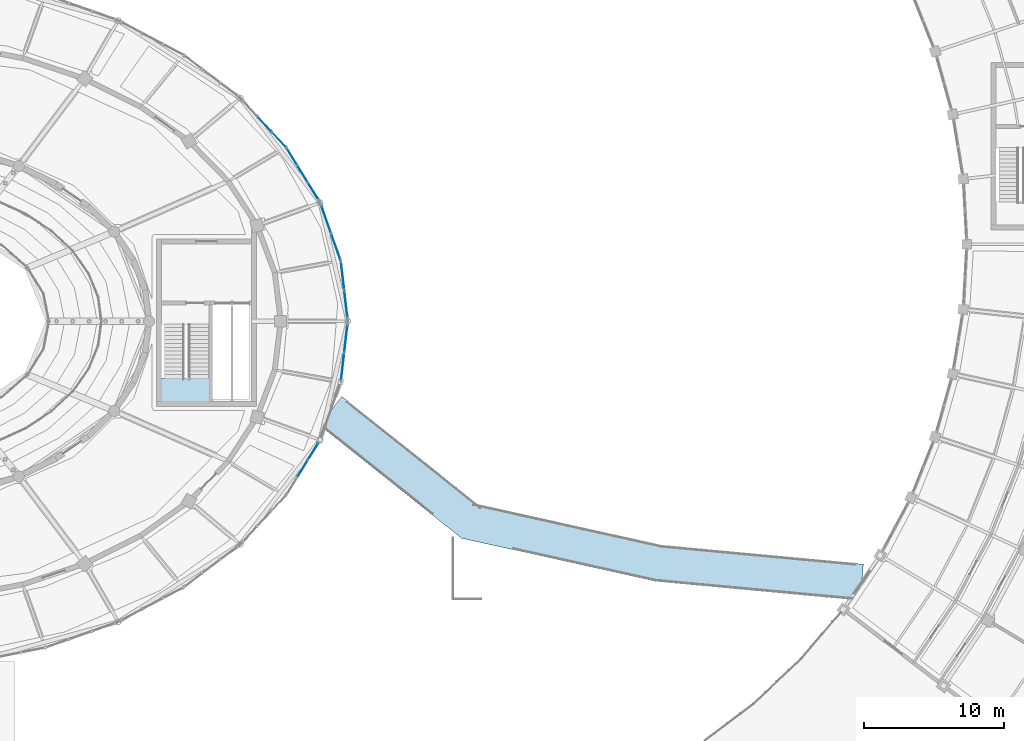
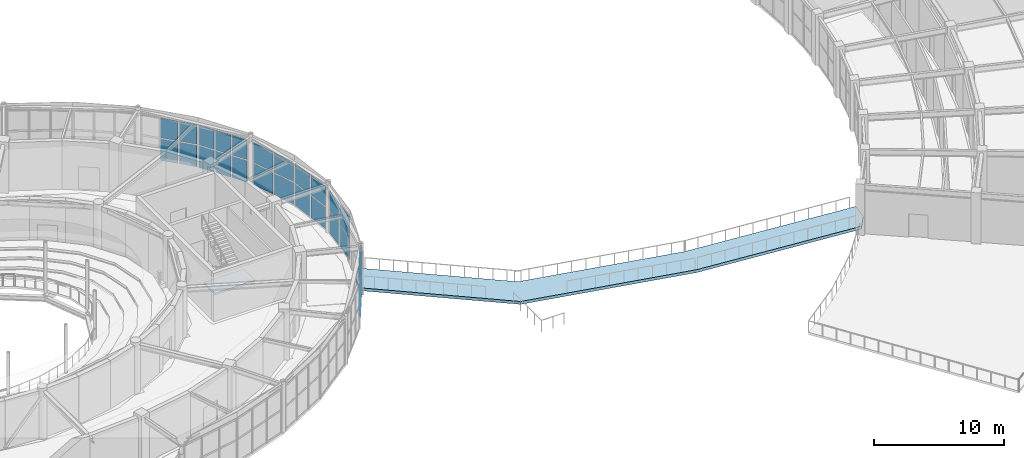
# One storey, part 71 of 100: 26 plates, 2 slabs, 7 elements without a shape of their own.
"""IFC4 building model written with IfcOpenShell, lengths in metres."""

from ifc_helpers import new_model, si_unit, direction, frame, origin, origin_2d, place, context, subcontext, project, spatial, polyline, rectangle, outline, extrude, material, layer, layer_set, type_object, element, aggregate, save


model = new_model("IFC4")

# Units and contexts
model_context = context("Model", 3, precision=1e-05, world=origin(), true_north=direction((0.0, 1.0)))
body_context = subcontext(model_context, "Body", "Model", "MODEL_VIEW")
ifc_project = project(units=[si_unit("LENGTHUNIT", "METRE"), si_unit("AREAUNIT", "SQUARE_METRE"), si_unit("VOLUMEUNIT", "CUBIC_METRE"), si_unit("PLANEANGLEUNIT", "RADIAN"), si_unit("MASSUNIT", "GRAM", prefix="KILO")], contexts=[model_context])

# Site, building, storey
site_placement = place(None, origin())
site = spatial("IfcSite", under=ifc_project, at=site_placement, CompositionType="ELEMENT")
building_placement = place(site_placement, origin())
building = spatial("IfcBuilding", under=site, at=building_placement, Name="Tarnveldt Headland Concert Hall", CompositionType="ELEMENT")
storey_placement = place(building_placement, frame((0.0, 0.0, 4.800048828125)))
storey = spatial("IfcBuildingStorey", under=building, at=storey_placement, Name="L01", CompositionType="ELEMENT", Elevation=4.800048828125)

# Curtain wall, plates
ifc_material_1 = material(Name="Marine-anodised aluminium EN AW-6063-T6", Category="aluminium")
curtain_wall_type = type_object("IfcCurtainWallType", Name="CW-F2", PredefinedType="NOTDEFINED", material=ifc_material_1)
curtain_wall_1_placement = place(storey_placement, origin())
curtain_wall_1 = element("IfcCurtainWall", 1, at=curtain_wall_1_placement, inside=storey, type_object=curtain_wall_type, Name="Curtain wall CW-L01-027", PredefinedType="NOTDEFINED")
ifc_material_2 = material(Name="Acoustic laminated low-iron double glazing", Category="glass")
ifc_layer_1 = layer(ifc_material_2, 0.030029296875, Name="Acoustic laminated low-iron double glazing", Category="glass")
ifc_layer_set_1 = layer_set([ifc_layer_1], Name="Acoustic laminated low-iron double glazing")
plate_type = type_object("IfcPlateType", Name="PN-F2", PredefinedType="CURTAIN_PANEL", material=ifc_layer_set_1)
plate_1_placement = place(storey_placement, frame((116.155517578125, 55.747802734375, 0.09228515625), z_axis=(0.0, 0.0, 1.0), x_axis=(-0.114937150493, 0.9933727656, 0.0)))
plate_1 = element("IfcPlate", 2, at=plate_1_placement, type_object=plate_type, Name="Glazed panel CW-L01-027-1-1", PredefinedType="CURTAIN_PANEL", context=body_context, shape_type="SweptSolid", body=[
    extrude(rectangle(XDim=1.906982421875, YDim=0.030029296875, at=origin_2d()), origin(), (0.0, 0.0, 1.0), 2.0283203125),
])
plate_2_placement = place(storey_placement, frame((116.155517578125, 55.747802734375, 2.20556640625), z_axis=(0.0, 0.0, 1.0), x_axis=(-0.114937150493, 0.9933727656, 0.0)))
plate_2 = element("IfcPlate", 3, at=plate_2_placement, type_object=plate_type, Name="Glazed panel CW-L01-027-1-2", PredefinedType="CURTAIN_PANEL", context=body_context, shape_type="SweptSolid", body=[
    extrude(rectangle(XDim=1.906982421875, YDim=0.030029296875, at=origin_2d()), origin(), (0.0, 0.0, 1.0), 1.86181640625),
])
plate_3_placement = place(storey_placement, frame((115.922607421875, 57.760498046875, 0.09228515625), z_axis=(0.0, 0.0, 1.0), x_axis=(-0.114937150493, 0.9933727656, 0.0)))
plate_3 = element("IfcPlate", 4, at=plate_3_placement, type_object=plate_type, Name="Glazed panel CW-L01-027-2-1", PredefinedType="CURTAIN_PANEL", context=body_context, shape_type="SweptSolid", body=[
    extrude(rectangle(XDim=1.906982421875, YDim=0.030029296875, at=origin_2d()), origin(), (0.0, 0.0, 1.0), 2.0283203125),
])
plate_4_placement = place(storey_placement, frame((115.922607421875, 57.760498046875, 2.20556640625), z_axis=(0.0, 0.0, 1.0), x_axis=(-0.114937150493, 0.9933727656, 0.0)))
plate_4 = element("IfcPlate", 5, at=plate_4_placement, type_object=plate_type, Name="Glazed panel CW-L01-027-2-2", PredefinedType="CURTAIN_PANEL", context=body_context, shape_type="SweptSolid", body=[
    extrude(rectangle(XDim=1.906982421875, YDim=0.030029296875, at=origin_2d()), origin(), (0.0, 0.0, 1.0), 1.86181640625),
])
aggregate(curtain_wall_1, [plate_1, plate_2, plate_3, plate_4])

curtain_wall_2_placement = place(storey_placement, origin())
curtain_wall_2 = element("IfcCurtainWall", 6, at=curtain_wall_2_placement, inside=storey, type_object=curtain_wall_type, Name="Curtain wall CW-L01-028", PredefinedType="NOTDEFINED")
plate_5_placement = place(storey_placement, frame((115.44189453125, 59.8212890625, 0.09228515625), z_axis=(0.0, 0.0, 1.0), x_axis=(-0.334037180034, 0.94255989855, 0.0)))
plate_5 = element("IfcPlate", 7, at=plate_5_placement, type_object=plate_type, Name="Glazed panel CW-L01-028-1-1", PredefinedType="CURTAIN_PANEL", context=body_context, shape_type="SweptSolid", body=[
    extrude(rectangle(XDim=1.954345703125, YDim=0.030029296875, at=origin_2d()), origin(), (0.0, 0.0, 1.0), 2.0283203125),
])
plate_6_placement = place(storey_placement, frame((115.44189453125, 59.8212890625, 2.20556640625), z_axis=(0.0, 0.0, 1.0), x_axis=(-0.334037180034, 0.94255989855, 0.0)))
plate_6 = element("IfcPlate", 8, at=plate_6_placement, type_object=plate_type, Name="Glazed panel CW-L01-028-1-2", PredefinedType="CURTAIN_PANEL", context=body_context, shape_type="SweptSolid", body=[
    extrude(rectangle(XDim=1.954345703125, YDim=0.030029296875, at=origin_2d()), origin(), (0.0, 0.0, 1.0), 1.86181640625),
])
plate_7_placement = place(storey_placement, frame((114.74951171875, 61.775634765625, 0.09228515625), z_axis=(0.0, 0.0, 1.0), x_axis=(-0.334037180034, 0.94255989855, 0.0)))
plate_7 = element("IfcPlate", 9, at=plate_7_placement, type_object=plate_type, Name="Glazed panel CW-L01-028-2-1", PredefinedType="CURTAIN_PANEL", context=body_context, shape_type="SweptSolid", body=[
    extrude(rectangle(XDim=1.954345703125, YDim=0.030029296875, at=origin_2d()), origin(), (0.0, 0.0, 1.0), 2.0283203125),
])
plate_8_placement = place(storey_placement, frame((114.74951171875, 61.775634765625, 2.20556640625), z_axis=(0.0, 0.0, 1.0), x_axis=(-0.334037180034, 0.94255989855, 0.0)))
plate_8 = element("IfcPlate", 10, at=plate_8_placement, type_object=plate_type, Name="Glazed panel CW-L01-028-2-2", PredefinedType="CURTAIN_PANEL", context=body_context, shape_type="SweptSolid", body=[
    extrude(rectangle(XDim=1.954345703125, YDim=0.030029296875, at=origin_2d()), origin(), (0.0, 0.0, 1.0), 1.86181640625),
])
aggregate(curtain_wall_2, [plate_5, plate_6, plate_7, plate_8])

curtain_wall_3_placement = place(storey_placement, origin())
curtain_wall_3 = element("IfcCurtainWall", 11, at=curtain_wall_3_placement, inside=storey, type_object=curtain_wall_type, Name="Curtain wall CW-L01-029", PredefinedType="NOTDEFINED")
plate_9_placement = place(storey_placement, frame((113.81640625, 63.802001953125, 0.09228515625), z_axis=(0.0, 0.0, 1.0), x_axis=(-0.524922111703, 0.851150266783, 0.0)))
plate_9 = element("IfcPlate", 12, at=plate_9_placement, type_object=plate_type, Name="Glazed panel CW-L01-029-1-1", PredefinedType="CURTAIN_PANEL", context=body_context, shape_type="SweptSolid", body=[
    extrude(rectangle(XDim=1.321044921875, YDim=0.030029296875, at=origin_2d()), origin(), (0.0, 0.0, 1.0), 2.0283203125),
])
plate_10_placement = place(storey_placement, frame((113.81640625, 63.802001953125, 2.20556640625), z_axis=(0.0, 0.0, 1.0), x_axis=(-0.524922111703, 0.851150266783, 0.0)))
plate_10 = element("IfcPlate", 13, at=plate_10_placement, type_object=plate_type, Name="Glazed panel CW-L01-029-1-2", PredefinedType="CURTAIN_PANEL", context=body_context, shape_type="SweptSolid", body=[
    extrude(rectangle(XDim=1.321044921875, YDim=0.030029296875, at=origin_2d()), origin(), (0.0, 0.0, 1.0), 1.86181640625),
])
plate_11_placement = place(storey_placement, frame((113.060302734375, 65.027587890625, 0.09228515625), z_axis=(0.0, 0.0, 1.0), x_axis=(-0.524922111703, 0.851150266783, 0.0)))
plate_11 = element("IfcPlate", 14, at=plate_11_placement, type_object=plate_type, Name="Glazed panel CW-L01-029-2-1", PredefinedType="CURTAIN_PANEL", context=body_context, shape_type="SweptSolid", body=[
    extrude(rectangle(XDim=1.321044921875, YDim=0.030029296875, at=origin_2d()), origin(), (0.0, 0.0, 1.0), 2.0283203125),
])
plate_12_placement = place(storey_placement, frame((113.060302734375, 65.027587890625, 2.20556640625), z_axis=(0.0, 0.0, 1.0), x_axis=(-0.524922111703, 0.851150266783, 0.0)))
plate_12 = element("IfcPlate", 15, at=plate_12_placement, type_object=plate_type, Name="Glazed panel CW-L01-029-2-2", PredefinedType="CURTAIN_PANEL", context=body_context, shape_type="SweptSolid", body=[
    extrude(rectangle(XDim=1.321044921875, YDim=0.030029296875, at=origin_2d()), origin(), (0.0, 0.0, 1.0), 1.86181640625),
])
plate_13_placement = place(storey_placement, frame((112.304443359375, 66.253173828125, 0.09228515625), z_axis=(0.0, 0.0, 1.0), x_axis=(-0.524922111703, 0.851150266783, 0.0)))
plate_13 = element("IfcPlate", 16, at=plate_13_placement, type_object=plate_type, Name="Glazed panel CW-L01-029-3-1", PredefinedType="CURTAIN_PANEL", context=body_context, shape_type="SweptSolid", body=[
    extrude(rectangle(XDim=1.321044921875, YDim=0.030029296875, at=origin_2d()), origin(), (0.0, 0.0, 1.0), 2.0283203125),
])
plate_14_placement = place(storey_placement, frame((112.304443359375, 66.253173828125, 2.20556640625), z_axis=(0.0, 0.0, 1.0), x_axis=(-0.524922111703, 0.851150266783, 0.0)))
plate_14 = element("IfcPlate", 17, at=plate_14_placement, type_object=plate_type, Name="Glazed panel CW-L01-029-3-2", PredefinedType="CURTAIN_PANEL", context=body_context, shape_type="SweptSolid", body=[
    extrude(rectangle(XDim=1.321044921875, YDim=0.030029296875, at=origin_2d()), origin(), (0.0, 0.0, 1.0), 1.86181640625),
])
aggregate(curtain_wall_3, [plate_9, plate_10, plate_11, plate_12, plate_13, plate_14])

curtain_wall_4_placement = place(storey_placement, origin())
curtain_wall_4 = element("IfcCurtainWall", 18, at=curtain_wall_4_placement, inside=storey, type_object=curtain_wall_type, Name="Curtain wall CW-L01-030", PredefinedType="NOTDEFINED")
plate_15_placement = place(storey_placement, frame((111.364013671875, 67.48486328125, 0.09228515625), z_axis=(0.0, 0.0, 1.0), x_axis=(-0.67945411016, 0.733718005903, 0.0)))
plate_15 = element("IfcPlate", 19, at=plate_15_placement, type_object=plate_type, Name="Glazed panel CW-L01-030-1-1", PredefinedType="CURTAIN_PANEL", context=body_context, shape_type="SweptSolid", body=[
    extrude(rectangle(XDim=1.3955078125, YDim=0.030029296875, at=origin_2d()), origin(), (0.0, 0.0, 1.0), 2.0283203125),
])
plate_16_placement = place(storey_placement, frame((111.364013671875, 67.48486328125, 2.20556640625), z_axis=(0.0, 0.0, 1.0), x_axis=(-0.67945411016, 0.733718005903, 0.0)))
plate_16 = element("IfcPlate", 20, at=plate_16_placement, type_object=plate_type, Name="Glazed panel CW-L01-030-1-2", PredefinedType="CURTAIN_PANEL", context=body_context, shape_type="SweptSolid", body=[
    extrude(rectangle(XDim=1.3955078125, YDim=0.030029296875, at=origin_2d()), origin(), (0.0, 0.0, 1.0), 1.86181640625),
])
plate_17_placement = place(storey_placement, frame((110.3349609375, 68.595947265625, 0.09228515625), z_axis=(0.0, 0.0, 1.0), x_axis=(-0.67945411016, 0.733718005903, 0.0)))
plate_17 = element("IfcPlate", 21, at=plate_17_placement, type_object=plate_type, Name="Glazed panel CW-L01-030-2-1", PredefinedType="CURTAIN_PANEL", context=body_context, shape_type="SweptSolid", body=[
    extrude(rectangle(XDim=1.3955078125, YDim=0.030029296875, at=origin_2d()), origin(), (0.0, 0.0, 1.0), 2.0283203125),
])
plate_18_placement = place(storey_placement, frame((110.3349609375, 68.595947265625, 2.20556640625), z_axis=(0.0, 0.0, 1.0), x_axis=(-0.67945411016, 0.733718005903, 0.0)))
plate_18 = element("IfcPlate", 22, at=plate_18_placement, type_object=plate_type, Name="Glazed panel CW-L01-030-2-2", PredefinedType="CURTAIN_PANEL", context=body_context, shape_type="SweptSolid", body=[
    extrude(rectangle(XDim=1.3955078125, YDim=0.030029296875, at=origin_2d()), origin(), (0.0, 0.0, 1.0), 1.86181640625),
])
aggregate(curtain_wall_4, [plate_15, plate_16, plate_17, plate_18])

curtain_wall_5_placement = place(storey_placement, origin())
curtain_wall_5 = element("IfcCurtainWall", 23, at=curtain_wall_5_placement, inside=storey, type_object=curtain_wall_type, Name="Curtain wall CW-L01-058", PredefinedType="NOTDEFINED")
plate_19_placement = place(storey_placement, frame((113.060302734375, 43.972412109375, 0.09228515625), z_axis=(0.0, 0.0, 1.0), x_axis=(0.524922111703, 0.851150266783, 0.0)))
plate_19 = element("IfcPlate", 24, at=plate_19_placement, type_object=plate_type, Name="Glazed panel CW-L01-058-2-1", PredefinedType="CURTAIN_PANEL", context=body_context, shape_type="SweptSolid", body=[
    extrude(rectangle(XDim=1.321044921875, YDim=0.030029296875, at=origin_2d()), origin(), (0.0, 0.0, 1.0), 2.0283203125),
])
plate_20_placement = place(storey_placement, frame((113.060302734375, 43.972412109375, 2.20556640625), z_axis=(0.0, 0.0, 1.0), x_axis=(0.524922111703, 0.851150266783, 0.0)))
plate_20 = element("IfcPlate", 25, at=plate_20_placement, type_object=plate_type, Name="Glazed panel CW-L01-058-2-2", PredefinedType="CURTAIN_PANEL", context=body_context, shape_type="SweptSolid", body=[
    extrude(rectangle(XDim=1.321044921875, YDim=0.030029296875, at=origin_2d()), origin(), (0.0, 0.0, 1.0), 1.86181640625),
])
plate_21_placement = place(storey_placement, frame((113.81640625, 45.197998046875, 0.09228515625), z_axis=(0.0, 0.0, 1.0), x_axis=(0.524922111703, 0.851150266783, 0.0)))
plate_21 = element("IfcPlate", 26, at=plate_21_placement, type_object=plate_type, Name="Glazed panel CW-L01-058-3-1", PredefinedType="CURTAIN_PANEL", context=body_context, shape_type="SweptSolid", body=[
    extrude(rectangle(XDim=1.321044921875, YDim=0.030029296875, at=origin_2d()), origin(), (0.0, 0.0, 1.0), 2.0283203125),
])
plate_22_placement = place(storey_placement, frame((113.81640625, 45.197998046875, 2.20556640625), z_axis=(0.0, 0.0, 1.0), x_axis=(0.524922111703, 0.851150266783, 0.0)))
plate_22 = element("IfcPlate", 27, at=plate_22_placement, type_object=plate_type, Name="Glazed panel CW-L01-058-3-2", PredefinedType="CURTAIN_PANEL", context=body_context, shape_type="SweptSolid", body=[
    extrude(rectangle(XDim=1.321044921875, YDim=0.030029296875, at=origin_2d()), origin(), (0.0, 0.0, 1.0), 1.86181640625),
])
aggregate(curtain_wall_5, [plate_19, plate_20, plate_21, plate_22])

curtain_wall_6_placement = place(storey_placement, origin())
curtain_wall_6 = element("IfcCurtainWall", 28, at=curtain_wall_6_placement, inside=storey, type_object=curtain_wall_type, Name="Curtain wall CW-L01-059", PredefinedType="NOTDEFINED")
plate_23_placement = place(storey_placement, frame((115.922607421875, 51.239501953125, 0.09228515625), z_axis=(0.0, 0.0, 1.0), x_axis=(0.114937150493, 0.9933727656, 0.0)))
plate_23 = element("IfcPlate", 29, at=plate_23_placement, type_object=plate_type, Name="Glazed panel CW-L01-059-1-1", PredefinedType="CURTAIN_PANEL", context=body_context, shape_type="SweptSolid", body=[
    extrude(rectangle(XDim=1.906982421875, YDim=0.030029296875, at=origin_2d()), origin(), (0.0, 0.0, 1.0), 2.0283203125),
])
plate_24_placement = place(storey_placement, frame((115.922607421875, 51.239501953125, 2.20556640625), z_axis=(0.0, 0.0, 1.0), x_axis=(0.114937150493, 0.9933727656, 0.0)))
plate_24 = element("IfcPlate", 30, at=plate_24_placement, type_object=plate_type, Name="Glazed panel CW-L01-059-1-2", PredefinedType="CURTAIN_PANEL", context=body_context, shape_type="SweptSolid", body=[
    extrude(rectangle(XDim=1.906982421875, YDim=0.030029296875, at=origin_2d()), origin(), (0.0, 0.0, 1.0), 1.86181640625),
])
plate_25_placement = place(storey_placement, frame((116.155517578125, 53.252197265625, 0.09228515625), z_axis=(0.0, 0.0, 1.0), x_axis=(0.114937150493, 0.9933727656, 0.0)))
plate_25 = element("IfcPlate", 31, at=plate_25_placement, type_object=plate_type, Name="Glazed panel CW-L01-059-2-1", PredefinedType="CURTAIN_PANEL", context=body_context, shape_type="SweptSolid", body=[
    extrude(rectangle(XDim=1.906982421875, YDim=0.030029296875, at=origin_2d()), origin(), (0.0, 0.0, 1.0), 2.0283203125),
])
plate_26_placement = place(storey_placement, frame((116.155517578125, 53.252197265625, 2.20556640625), z_axis=(0.0, 0.0, 1.0), x_axis=(0.114937150493, 0.9933727656, 0.0)))
plate_26 = element("IfcPlate", 32, at=plate_26_placement, type_object=plate_type, Name="Glazed panel CW-L01-059-2-2", PredefinedType="CURTAIN_PANEL", context=body_context, shape_type="SweptSolid", body=[
    extrude(rectangle(XDim=1.906982421875, YDim=0.030029296875, at=origin_2d()), origin(), (0.0, 0.0, 1.0), 1.86181640625),
])
aggregate(curtain_wall_6, [plate_23, plate_24, plate_25, plate_26])

# Slab
ifc_material_3 = material(Name="Concrete C40/50", Category="concrete")
ifc_layer_2 = layer(ifc_material_3, 0.27001953125, Name="Concrete C40/50", Category="concrete")
ifc_layer_set_2 = layer_set([ifc_layer_2], Name="Concrete C40/50")
slab_type_1 = type_object("IfcSlabType", Name="SL-BR270", PredefinedType="FLOOR", material=ifc_layer_set_2)
slab_1_placement = place(storey_placement, frame((0.0, 0.0, -0.27001953125)))
element("IfcSlab", 33, at=slab_1_placement, inside=storey, type_object=slab_type_1, Name="Forecourt curved pedestrian bridge deck", PredefinedType="FLOOR", context=body_context, shape_type="SweptSolid", body=[
    extrude(outline(polyline([(153.123046875, 37.146728515625), (138.701904296875, 38.48681640625), (125.57470703125, 41.404052734375), (115.87109375, 49.123046875), (115.061767578125, 48.105712890625), (114.6025390625, 46.809814453125), (124.42529296875, 38.99609375), (138.298095703125, 35.9130859375), (152.194091796875, 34.621826171875), (152.9912109375, 35.727783203125), (153.123046875, 37.146728515625)])), origin(), (0.0, 0.0, 1.0), 0.27001953125),
])

# Stair, slab
stair_type = type_object("IfcStairType", Name="ST-CORE480", PredefinedType="HALF_TURN_STAIR", material=ifc_material_3)
stair_placement = place(storey_placement, origin())
stair = element("IfcStair", 34, at=stair_placement, inside=storey, type_object=stair_type, Name="Exit stair STR-C2-L01", PredefinedType="HALF_TURN_STAIR")
ifc_layer_3 = layer(ifc_material_3, 0.179931640625, Name="Concrete C40/50", Category="concrete")
ifc_layer_set_3 = layer_set([ifc_layer_3], Name="Concrete C40/50")
slab_type_2 = type_object("IfcSlabType", Name="SL-STLND180", PredefinedType="LANDING", material=ifc_layer_set_3)
slab_2_placement = place(storey_placement, frame((0.0, 0.0, 2.219970703125)))
slab_2 = element("IfcSlab", 35, at=slab_2_placement, type_object=slab_type_2, Name="Stair half-landing STR-C2-L01", PredefinedType="LANDING", context=body_context, shape_type="SweptSolid", body=[
    extrude(outline(polyline([(102.919921875, 48.719970703125), (106.47998046875, 48.719970703125), (106.47998046875, 50.43994140625), (102.919921875, 50.43994140625), (102.919921875, 48.719970703125)])), origin(), (0.0, 0.0, 1.0), 0.179931640625),
])
aggregate(stair, [slab_2])

save(model, "model.ifc")
